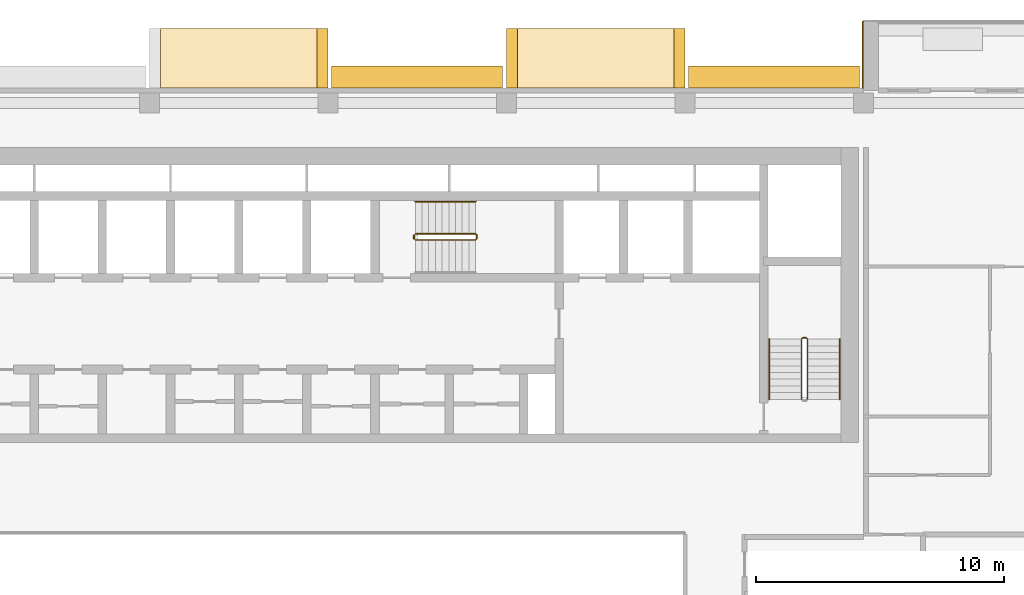
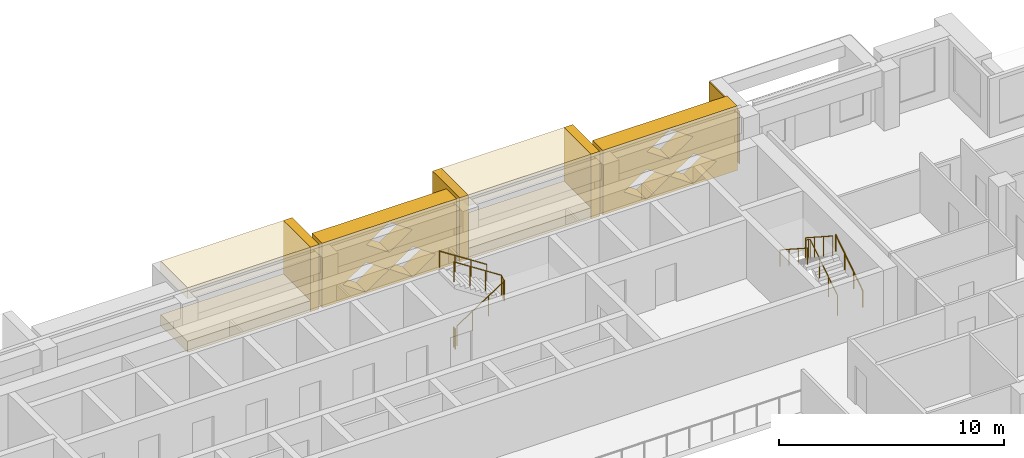
# One storey, part 19 of 20: 10 coverings, 6 railings.
"""IFC4 building model written with IfcOpenShell, lengths in metres."""

from ifc_helpers import new_model, si_unit, direction, frame, origin, origin_2d, place, context, subcontext, project, spatial, polyline, circle, outline, extrude, material, layer, layer_set, type_object, element, save


model = new_model("IFC4")

# Units and contexts
model_context = context("Model", 3, precision=1e-05, world=origin(), true_north=direction((0.0, 1.0)))
body_context = subcontext(model_context, "Body", "Model", "MODEL_VIEW")
ifc_project = project(units=[si_unit("LENGTHUNIT", "METRE"), si_unit("AREAUNIT", "SQUARE_METRE"), si_unit("VOLUMEUNIT", "CUBIC_METRE"), si_unit("PLANEANGLEUNIT", "RADIAN"), si_unit("MASSUNIT", "GRAM", prefix="KILO")], contexts=[model_context])

# Site, building, storey
site_placement = place(None, origin())
site = spatial("IfcSite", under=ifc_project, at=site_placement, CompositionType="ELEMENT")
building_placement = place(site_placement, origin())
building = spatial("IfcBuilding", under=site, at=building_placement, Name="Saffron Iwan Residences", CompositionType="ELEMENT")
storey_placement = place(building_placement, frame((0.0, 0.0, 188.5)))
storey = spatial("IfcBuildingStorey", under=building, at=storey_placement, Name="L50", CompositionType="ELEMENT", Elevation=188.5)

# Coverings
ifc_material_1 = material(Name="Precast concrete C40/50 white painted", Category="concrete")
ifc_layer = layer(ifc_material_1, 0.050048828125)
ifc_layer_set = layer_set([ifc_layer], Name="Precast concrete C40/50 white painted")
covering_type_1 = type_object("IfcCoveringType", Name="FRAME SKIN PRECAST WHITE 50", PredefinedType="CLADDING", material=ifc_layer_set)
covering_1_placement = place(storey_placement, origin())
element("IfcCovering", 1, at=covering_1_placement, inside=storey, type_object=covering_type_1, Name="Frame skin fin L50 F5-0b", PredefinedType="CLADDING", context=body_context, shape_type="SweptSolid", body=[
    extrude(outline(polyline([(72.0, 83.10009765625), (71.949951171875, 83.10009765625), (71.949951171875, 80.39990234375), (72.0, 80.39990234375), (72.0, 83.10009765625)])), origin(), (0.0, 0.0, 1.0), 2.85009765625),
])
ifc_material_2 = material(Name="Precast concrete C40/50", Category="concrete")
covering_type_2 = type_object("IfcCoveringType", Name="OUTER SKIN LATTICE SCREEN", PredefinedType="CLADDING", material=ifc_material_2)
for number, where, z_axis, x_axis, name in (
    (2, (71.85009765625, 80.39990234375, -0.300048828125), (0.0, 1.0, 0.0), (-1.0, 0.0, 0.0), "OUTER SKIN lattice screen L50 F5.1"),
    (3, (57.449951171875, 80.39990234375, -0.300048828125), (0.0, 1.0, 0.0), (-1.0, 0.0, 0.0), "OUTER SKIN lattice screen L50 F5.2"),
):
    element("IfcCovering", number, at=place(storey_placement, frame(where, z_axis=z_axis, x_axis=x_axis)), inside=storey, type_object=covering_type_2, Name=name, PredefinedType="CLADDING", context=body_context, shape_type="SweptSolid", body=[
        extrude(outline(polyline([(0.0, 0.0), (6.89990234375, 0.0), (6.89990234375, 3.5), (0.0, 3.5), (0.0, 0.0)]), holes=[polyline([(1.070068359375, 0.875), (2.25, 0.06005859375), (3.429931640625, 0.875), (2.25, 1.68994140625), (1.070068359375, 0.875)]), polyline([(3.469970703125, 0.875), (4.64990234375, 0.06005859375), (5.830078125, 0.875), (4.64990234375, 1.68994140625), (3.469970703125, 0.875)]), polyline([(2.27001953125, 2.625), (3.449951171875, 1.81005859375), (4.6298828125, 2.625), (3.449951171875, 3.43994140625), (2.27001953125, 2.625)])]), origin(), (0.0, 0.0, 1.0), 0.900146484375),
    ])

# Railings
ifc_material_3 = material(Name="Steel S355", Category="steel")
railing_type_1 = type_object("IfcRailingType", Name="Stair guard 1100", PredefinedType="GUARDRAIL", material=ifc_material_3)
railing_1_placement = place(storey_placement, frame((53.925048828125, 74.27490234375, 0.175048828125)))
element("IfcRailing", 4, at=railing_1_placement, inside=storey, type_object=railing_type_1, Name="L50 ST-C stair guard 1", PredefinedType="GUARDRAIL", context=body_context, shape_type="SweptSolid", body=[
    extrude(circle(Radius=0.02392578125, at=origin_2d()), frame((0.0, 0.0, 1.076171875), z_axis=(0.839153699163, 0.0, 0.543894354798), x_axis=(0.0, 1.0, 0.0)), (0.0, 0.0, 1.0), 2.895751953125),
    extrude(circle(Radius=0.02392578125, at=origin_2d()), frame((2.429931640625, 0.0, 2.65087890625), z_axis=(0.707106781187, 0.707106781187, 0.0), x_axis=(-0.707106781187, 0.707106781187, 0.0)), (0.0, 0.0, 1.0), 0.07080078125),
    extrude(circle(Radius=0.02392578125, at=origin_2d()), frame((2.47998046875, 0.050048828125, 2.65087890625), z_axis=(0.0, 1.0, 0.0), x_axis=(-1.0, 0.0, 0.0)), (0.0, 0.0, 1.0), 0.150146484375),
    extrude(circle(Radius=0.02392578125, at=origin_2d()), frame((2.47998046875, 0.2001953125, 2.65087890625), z_axis=(-0.265155923931, 0.263862480399, 0.927399011991), x_axis=(-0.705375805398, -0.708833529934, 0.0)), (0.0, 0.0, 1.0), 0.188720703125),
    extrude(circle(Radius=0.02392578125, at=origin_2d()), frame((2.429931640625, 0.25, 2.826171875), z_axis=(-0.839153699163, 0.0, 0.543894354798), x_axis=(0.0, -1.0, 0.0)), (0.0, 0.0, 1.0), 2.895751953125),
    extrude(circle(Radius=0.02099609375, at=origin_2d()), origin(), (0.0, 0.0, 1.0), 1.052001953125),
    extrude(circle(Radius=0.02099609375, at=origin_2d()), frame((0.81005859375, 0.0, 0.52490234375)), (0.0, 0.0, 1.0), 1.052001953125),
    extrude(circle(Radius=0.02099609375, at=origin_2d()), frame((1.619873046875, 0.0, 1.050048828125)), (0.0, 0.0, 1.0), 1.052001953125),
    extrude(circle(Radius=0.02099609375, at=origin_2d()), frame((2.429931640625, 0.0, 1.574951171875)), (0.0, 0.0, 1.0), 1.052001953125),
    extrude(circle(Radius=0.02099609375, at=origin_2d()), frame((2.47998046875, 0.050048828125, 1.574951171875)), (0.0, 0.0, 1.0), 1.052001953125),
    extrude(circle(Radius=0.02099609375, at=origin_2d()), frame((2.47998046875, 0.2001953125, 1.574951171875)), (0.0, 0.0, 1.0), 1.052001953125),
    extrude(circle(Radius=0.02099609375, at=origin_2d()), frame((2.429931640625, 0.25, 1.75)), (0.0, 0.0, 1.0), 1.052001953125),
    extrude(circle(Radius=0.02099609375, at=origin_2d()), frame((1.619873046875, 0.25, 2.27490234375)), (0.0, 0.0, 1.0), 1.052001953125),
    extrude(circle(Radius=0.02099609375, at=origin_2d()), frame((0.81005859375, 0.25, 2.800048828125)), (0.0, 0.0, 1.0), 1.052001953125),
    extrude(circle(Radius=0.02099609375, at=origin_2d()), frame((0.0, 0.25, 3.324951171875)), (0.0, 0.0, 1.0), 1.052001953125),
])
railing_2_placement = place(storey_placement, frame((53.875, 74.324951171875, 0.0)))
element("IfcRailing", 5, at=railing_2_placement, inside=storey, type_object=railing_type_1, Name="L50 ST-C stair guard 2", PredefinedType="GUARDRAIL", context=body_context, shape_type="SweptSolid", body=[
    extrude(circle(Radius=0.02392578125, at=origin_2d()), frame((0.0, 0.0, 1.076171875), z_axis=(0.0, 1.0, 0.0), x_axis=(-1.0, 0.0, 0.0)), (0.0, 0.0, 1.0), 0.150146484375),
    extrude(circle(Radius=0.02099609375, at=origin_2d()), origin(), (0.0, 0.0, 1.0), 1.052001953125),
    extrude(circle(Radius=0.02099609375, at=origin_2d()), frame((0.0, 0.150146484375, 0.0)), (0.0, 0.0, 1.0), 1.052001953125),
])
railing_3_placement = place(storey_placement, frame((69.75, 67.85009765625, 0.175048828125)))
element("IfcRailing", 6, at=railing_3_placement, inside=storey, type_object=railing_type_1, Name="L50 ST-E stair guard 1", PredefinedType="GUARDRAIL", context=body_context, shape_type="SweptSolid", body=[
    extrude(circle(Radius=0.02392578125, at=origin_2d()), frame((0.0, 0.0, 1.076171875), z_axis=(0.0, 0.839153699163, 0.543894354798), x_axis=(-1.0, 0.0, 0.0)), (0.0, 0.0, 1.0), 2.895751953125),
    extrude(circle(Radius=0.02392578125, at=origin_2d()), frame((0.0, 2.429931640625, 2.65087890625), z_axis=(-0.707106781187, 0.707106781187, 0.0), x_axis=(-0.707106781187, -0.707106781187, 0.0)), (0.0, 0.0, 1.0), 0.07080078125),
    extrude(circle(Radius=0.02392578125, at=origin_2d()), frame((-0.050048828125, 2.47998046875, 2.65087890625), z_axis=(-1.0, 0.0, 0.0), x_axis=(0.0, -1.0, 0.0)), (0.0, 0.0, 1.0), 0.14990234375),
    extrude(circle(Radius=0.02392578125, at=origin_2d()), frame((-0.199951171875, 2.47998046875, 2.65087890625), z_axis=(-0.265065253269, -0.265065253269, 0.927081885822), x_axis=(0.707106781187, -0.707106781187, 0.0)), (0.0, 0.0, 1.0), 0.188720703125),
    extrude(circle(Radius=0.02392578125, at=origin_2d()), frame((-0.25, 2.429931640625, 2.826171875), z_axis=(0.0, -0.839153699163, 0.543894354798), x_axis=(1.0, 0.0, 0.0)), (0.0, 0.0, 1.0), 2.895751953125),
    extrude(circle(Radius=0.02099609375, at=origin_2d()), origin(), (0.0, 0.0, 1.0), 1.052001953125),
    extrude(circle(Radius=0.02099609375, at=origin_2d()), frame((0.0, 0.81005859375, 0.52490234375)), (0.0, 0.0, 1.0), 1.052001953125),
    extrude(circle(Radius=0.02099609375, at=origin_2d()), frame((0.0, 1.619873046875, 1.050048828125)), (0.0, 0.0, 1.0), 1.052001953125),
    extrude(circle(Radius=0.02099609375, at=origin_2d()), frame((0.0, 2.429931640625, 1.574951171875)), (0.0, 0.0, 1.0), 1.052001953125),
    extrude(circle(Radius=0.02099609375, at=origin_2d()), frame((-0.050048828125, 2.47998046875, 1.574951171875)), (0.0, 0.0, 1.0), 1.052001953125),
    extrude(circle(Radius=0.02099609375, at=origin_2d()), frame((-0.199951171875, 2.47998046875, 1.574951171875)), (0.0, 0.0, 1.0), 1.052001953125),
    extrude(circle(Radius=0.02099609375, at=origin_2d()), frame((-0.25, 2.429931640625, 1.75)), (0.0, 0.0, 1.0), 1.052001953125),
    extrude(circle(Radius=0.02099609375, at=origin_2d()), frame((-0.25, 1.619873046875, 2.27490234375)), (0.0, 0.0, 1.0), 1.052001953125),
    extrude(circle(Radius=0.02099609375, at=origin_2d()), frame((-0.25, 0.81005859375, 2.800048828125)), (0.0, 0.0, 1.0), 1.052001953125),
    extrude(circle(Radius=0.02099609375, at=origin_2d()), frame((-0.25, 0.0, 3.324951171875)), (0.0, 0.0, 1.0), 1.052001953125),
])
ifc_material_4 = material(Name="Stainless steel 316", Category="steel")
railing_type_2 = type_object("IfcRailingType", Name="Stair handrail 900", PredefinedType="HANDRAIL", material=ifc_material_4)
railing_4_placement = place(storey_placement, frame((56.35498046875, 75.824951171875, 1.925048828125)))
element("IfcRailing", 7, at=railing_4_placement, inside=storey, type_object=railing_type_2, Name="L50 ST-C stair handrail 2", PredefinedType="HANDRAIL", context=body_context, shape_type="SweptSolid", body=[
    extrude(circle(Radius=0.02392578125, at=origin_2d()), frame((0.0, 0.0, 0.8759765625), z_axis=(-0.839153699163, 0.0, 0.543894354798), x_axis=(0.0, -1.0, 0.0)), (0.0, 0.0, 1.0), 2.895751953125),
    extrude(circle(Radius=0.02099609375, at=origin_2d()), origin(), (0.0, 0.0, 1.0), 0.851806640625),
    extrude(circle(Radius=0.02099609375, at=origin_2d()), frame((-0.81005859375, 0.0, 0.52490234375)), (0.0, 0.0, 1.0), 0.851806640625),
    extrude(circle(Radius=0.02099609375, at=origin_2d()), frame((-1.619873046875, 0.0, 1.050048828125)), (0.0, 0.0, 1.0), 0.851806640625),
    extrude(circle(Radius=0.02099609375, at=origin_2d()), frame((-2.429931640625, 0.0, 1.574951171875)), (0.0, 0.0, 1.0), 0.851806640625),
])
railing_5_placement = place(storey_placement, frame((71.050048828125, 67.85009765625, 0.175048828125)))
element("IfcRailing", 8, at=railing_5_placement, inside=storey, type_object=railing_type_2, Name="L50 ST-E stair handrail 1", PredefinedType="HANDRAIL", context=body_context, shape_type="SweptSolid", body=[
    extrude(circle(Radius=0.02392578125, at=origin_2d()), frame((0.0, 0.0, 0.8759765625), z_axis=(0.0, 0.839153699163, 0.543894354798), x_axis=(-1.0, 0.0, 0.0)), (0.0, 0.0, 1.0), 2.895751953125),
    extrude(circle(Radius=0.02099609375, at=origin_2d()), origin(), (0.0, 0.0, 1.0), 0.851806640625),
    extrude(circle(Radius=0.02099609375, at=origin_2d()), frame((0.0, 0.81005859375, 0.52490234375)), (0.0, 0.0, 1.0), 0.851806640625),
    extrude(circle(Radius=0.02099609375, at=origin_2d()), frame((0.0, 1.619873046875, 1.050048828125)), (0.0, 0.0, 1.0), 0.851806640625),
    extrude(circle(Radius=0.02099609375, at=origin_2d()), frame((0.0, 2.429931640625, 1.574951171875)), (0.0, 0.0, 1.0), 0.851806640625),
])
railing_6_placement = place(storey_placement, frame((68.199951171875, 70.280029296875, 1.925048828125)))
element("IfcRailing", 9, at=railing_6_placement, inside=storey, type_object=railing_type_2, Name="L50 ST-E stair handrail 2", PredefinedType="HANDRAIL", context=body_context, shape_type="SweptSolid", body=[
    extrude(circle(Radius=0.02392578125, at=origin_2d()), frame((0.0, 0.0, 0.8759765625), z_axis=(0.0, -0.839153699163, 0.543894354798), x_axis=(1.0, 0.0, 0.0)), (0.0, 0.0, 1.0), 2.895751953125),
    extrude(circle(Radius=0.02099609375, at=origin_2d()), origin(), (0.0, 0.0, 1.0), 0.851806640625),
    extrude(circle(Radius=0.02099609375, at=origin_2d()), frame((0.0, -0.81005859375, 0.52490234375)), (0.0, 0.0, 1.0), 0.851806640625),
    extrude(circle(Radius=0.02099609375, at=origin_2d()), frame((0.0, -1.619873046875, 1.050048828125)), (0.0, 0.0, 1.0), 0.851806640625),
    extrude(circle(Radius=0.02099609375, at=origin_2d()), frame((0.0, -2.429931640625, 1.574951171875)), (0.0, 0.0, 1.0), 0.851806640625),
])

# Coverings
covering_type_3 = type_object("IfcCoveringType", Name="WHITE SUN FRAME PRECAST", PredefinedType="CLADDING", material=ifc_material_1)
for number, where, z_axis, x_axis, name in (
    (10, (64.800048828125, 80.39990234375, -0.300048828125), (0.0, 1.0, 0.0), (-1.0, 0.0, 0.0), "Sun frame L50 F5 18.0a"),
    (11, (58.050048828125, 80.39990234375, -0.300048828125), (0.0, 1.0, 0.0), (-1.0, 0.0, 0.0), "Sun frame L50 F5 18.0b"),
):
    element("IfcCovering", number, at=place(storey_placement, frame(where, z_axis=z_axis, x_axis=x_axis)), inside=storey, type_object=covering_type_3, Name=name, PredefinedType="CLADDING", context=body_context, shape_type="SweptSolid", body=[
        extrude(outline(polyline([(0.0, 0.0), (0.449951171875, 0.0), (0.449951171875, 3.5), (0.0, 3.5), (0.0, 0.0)])), origin(), (0.0, 0.0, 1.0), 2.400146484375),
    ])
for number, where, z_axis, x_axis, name in (
    (12, (64.35009765625, 80.39990234375, 2.60009765625), (0.0, 1.0, 0.0), (-1.0, 0.0, 0.0), "Sun frame L50 F5 18.0h"),
    (13, (64.35009765625, 80.39990234375, -0.300048828125), (0.0, 1.0, 0.0), (-1.0, 0.0, 0.0), "Sun frame L50 F5 18.0s"),
):
    element("IfcCovering", number, at=place(storey_placement, frame(where, z_axis=z_axis, x_axis=x_axis)), inside=storey, type_object=covering_type_3, Name=name, PredefinedType="CLADDING", context=body_context, shape_type="SweptSolid", body=[
        extrude(outline(polyline([(0.0, 0.0), (6.300048828125, 0.0), (6.300048828125, 0.60009765625), (0.0, 0.60009765625), (0.0, 0.0)])), origin(), (0.0, 0.0, 1.0), 2.400146484375),
    ])
covering_2_placement = place(storey_placement, frame((50.39990234375, 80.39990234375, -0.300048828125), z_axis=(0.0, 1.0, 0.0), x_axis=(-1.0, 0.0, 0.0)))
element("IfcCovering", 14, at=covering_2_placement, inside=storey, type_object=covering_type_3, Name="Sun frame L50 F5 32.4a", PredefinedType="CLADDING", context=body_context, shape_type="SweptSolid", body=[
    extrude(outline(polyline([(0.0, 0.0), (0.449951171875, 0.0), (0.449951171875, 3.5), (0.0, 3.5), (0.0, 0.0)])), origin(), (0.0, 0.0, 1.0), 2.400146484375),
])
for number, where, z_axis, x_axis, name in (
    (15, (49.949951171875, 80.39990234375, 2.60009765625), (0.0, 1.0, 0.0), (-1.0, 0.0, 0.0), "Sun frame L50 F5 32.4h"),
    (16, (49.949951171875, 80.39990234375, -0.300048828125), (0.0, 1.0, 0.0), (-1.0, 0.0, 0.0), "Sun frame L50 F5 32.4s"),
):
    element("IfcCovering", number, at=place(storey_placement, frame(where, z_axis=z_axis, x_axis=x_axis)), inside=storey, type_object=covering_type_3, Name=name, PredefinedType="CLADDING", context=body_context, shape_type="SweptSolid", body=[
        extrude(outline(polyline([(0.0, 0.0), (6.300048828125, 0.0), (6.300048828125, 0.60009765625), (0.0, 0.60009765625), (0.0, 0.0)])), origin(), (0.0, 0.0, 1.0), 2.400146484375),
    ])

save(model, "model.ifc")
